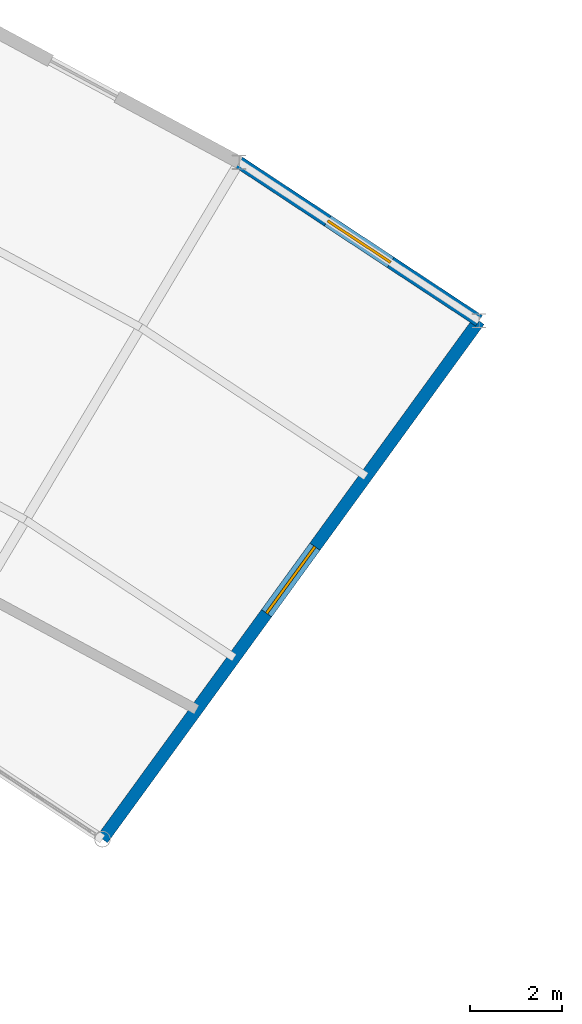
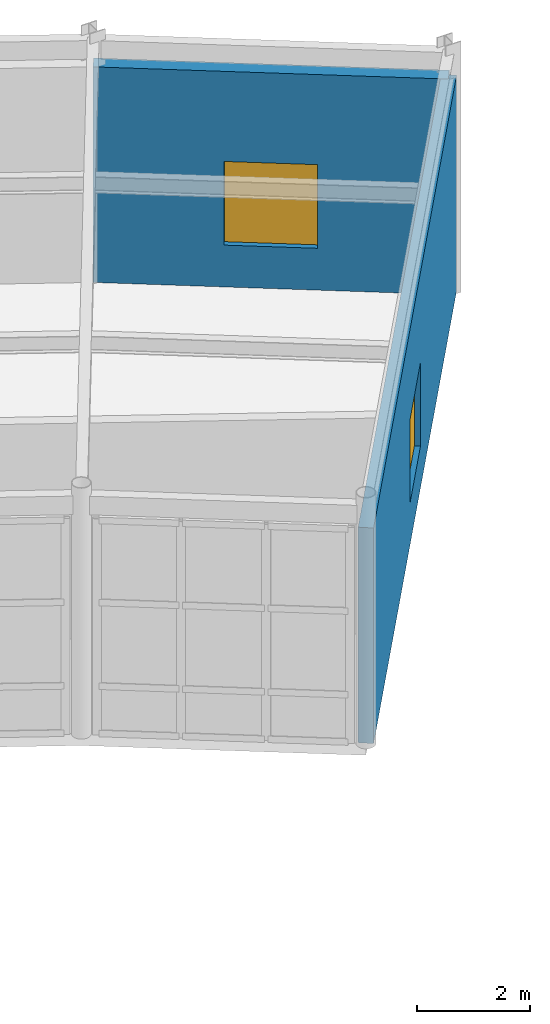
# One storey, part 70 of 87: 2 walls, 2 windows, 2 openings.
"""IFC4 building model written with IfcOpenShell, lengths in metres."""

import ifcopenshell
import ifcopenshell.guid

model = None  # the IFC model being written
_history = None  # IfcOwnerHistory: only IFC2X3 demands one
_inside = {}  # id of a spatial element -> (the spatial element, [elements in it])
_under = {}  # id of a project, library or spatial element -> (it, [spatial elements below it])
_declared = {}  # id of a project -> (the project, [libraries it declares])
_typed = {}  # id of a type object -> (the type object, [elements of that type])
_made_of = {}  # id of a material, layer set ... -> (it, [elements and type objects made of it])


def new_model(schema):
    """Start an empty IFC model of exactly this schema.

    Asked for "IFC4X3", IfcOpenShell would pick the latest addendum, in which some entities
    have other attributes; the version numbers below select the first issue.
    IFC2X3 requires an IfcOwnerHistory on every rooted entity: one is made here for all.
    """
    global model, _history
    if schema == "IFC4X3":
        model = ifcopenshell.file(schema_version=(4, 3, 0, 0))
    else:
        model = ifcopenshell.file(schema=schema)
    _inside.clear()
    _under.clear()
    _declared.clear()
    _typed.clear()
    _made_of.clear()
    _history = None
    if model.schema == "IFC2X3":
        org = make("IfcOrganization", Name="unknown")
        user = make(
            "IfcPersonAndOrganization",
            ThePerson=make("IfcPerson", FamilyName="unknown"),
            TheOrganization=org,
        )
        app = make(
            "IfcApplication",
            ApplicationDeveloper=org,
            Version="unknown",
            ApplicationFullName="unknown",
            ApplicationIdentifier="unknown",
        )
        _history = make(
            "IfcOwnerHistory",
            OwningUser=user,
            OwningApplication=app,
            ChangeAction="ADDED",
            CreationDate=0,
        )
    return model


def make(cls, **values):
    """One entity of the class cls with the attributes given. An attribute that is None is left unset."""
    return model.create_entity(
        cls, **{name: value for name, value in values.items() if value is not None}
    )


def rooted(cls, **values):
    """An entity with a GlobalId (a new one), such as an element, a storey or a relation."""
    return make(cls, GlobalId=ifcopenshell.guid.new(), OwnerHistory=_history, **values)


def si_unit(unit_type, name, prefix=None):
    """IfcSIUnit, for example si_unit("LENGTHUNIT", "METRE", prefix="MILLI")."""
    return make("IfcSIUnit", UnitType=unit_type, Prefix=prefix, Name=name)


def assignment(units):
    """IfcUnitAssignment: the units of a project."""
    return None if units is None else make("IfcUnitAssignment", Units=units)


def point(xyz):
    """IfcCartesianPoint."""
    return None if xyz is None else make("IfcCartesianPoint", Coordinates=xyz)


def direction(xyz):
    """IfcDirection."""
    return None if xyz is None else make("IfcDirection", DirectionRatios=xyz)


def frame(location, z_axis=None, x_axis=None):
    """IfcAxis2Placement3D, a coordinate frame: its origin and axes. An axis left out is left unset."""
    return make(
        "IfcAxis2Placement3D",
        Location=point(location),
        Axis=direction(z_axis),
        RefDirection=direction(x_axis),
    )


def frame_2d(location, x_axis=None):
    """IfcAxis2Placement2D, a coordinate frame in the plane: its origin and x axis."""
    return make(
        "IfcAxis2Placement2D", Location=point(location), RefDirection=direction(x_axis)
    )


def origin():
    """The frame at (0, 0, 0) with its axes left unset."""
    return frame((0.0, 0.0, 0.0))


def place(relative_to, where):
    """IfcLocalPlacement: puts the frame where relative to a parent placement (None: the world)."""
    return make(
        "IfcLocalPlacement", PlacementRelTo=relative_to, RelativePlacement=where
    )


def context(
    kind, dimensions, precision=None, world=None, true_north=None, identifier=None
):
    """IfcGeometricRepresentationContext, for example the 3D "Model" context."""
    return make(
        "IfcGeometricRepresentationContext",
        ContextIdentifier=identifier,
        ContextType=kind,
        CoordinateSpaceDimension=dimensions,
        Precision=precision,
        WorldCoordinateSystem=world,
        TrueNorth=true_north,
    )


def subcontext(parent, identifier, kind, view, scale=None):
    """IfcGeometricRepresentationSubContext, for example "Body" below "Model"."""
    return make(
        "IfcGeometricRepresentationSubContext",
        ContextIdentifier=identifier,
        ContextType=kind,
        ParentContext=parent,
        TargetScale=scale,
        TargetView=view,
    )


def project(units=None, contexts=None):
    """IfcProject with its units and contexts."""
    return rooted(
        "IfcProject",
        Name="project",
        RepresentationContexts=contexts,
        UnitsInContext=assignment(units),
    )


def spatial(cls, under=None, at=None, **own):
    """A site, building, storey or space (cls), placed at a placement, below another one or the project."""
    s = rooted(cls, ObjectPlacement=at, **own)
    if under is not None:
        _under.setdefault(under.id(), (under, []))[1].append(s)
    return s


def profile(cls, at=None, kind="AREA", **sizes):
    """A parametric profile (cls). Its sizes go by their IFC names, for example OverallWidth=200.0."""
    return make(cls, ProfileType=kind, Position=at, **sizes)


def rectangle(**sizes):
    """IfcRectangleProfileDef."""
    return profile("IfcRectangleProfileDef", **sizes)


def extrude(swept, where, along, depth):
    """IfcExtrudedAreaSolid: the profile swept, set in the frame where, extruded along a direction by depth."""
    return make(
        "IfcExtrudedAreaSolid",
        SweptArea=swept,
        Position=where,
        ExtrudedDirection=direction(along),
        Depth=depth,
    )


def shape(context_of_items, identifier, shape_type, items):
    """IfcShapeRepresentation: the items that make up one representation, for example the "Body"."""
    return make(
        "IfcShapeRepresentation",
        ContextOfItems=context_of_items,
        RepresentationIdentifier=identifier,
        RepresentationType=shape_type,
        Items=items,
    )


def material(Name=None, Category=None):
    """IfcMaterial."""
    return make("IfcMaterial", Name=Name, Category=Category)


def layer(
    of_material, thickness, ventilated=None, Name=None, Category=None, Priority=None
):
    """IfcMaterialLayer: one layer of a wall or slab, of a material (None: an air gap)."""
    return make(
        "IfcMaterialLayer",
        Material=of_material,
        LayerThickness=thickness,
        IsVentilated=ventilated,
        Name=Name,
        Category=Category,
        Priority=Priority,
    )


def layer_set(layers, Name=None):
    """IfcMaterialLayerSet."""
    return make("IfcMaterialLayerSet", MaterialLayers=layers, LayerSetName=Name)


def made_of(thing, what):
    """Note that an element or type object is made of a material, layer set ...; save() writes the relation."""
    if what is not None:
        _made_of.setdefault(what.id(), (what, []))[1].append(thing)
    return thing


def type_object(cls, material=None, **own):
    """A type object (cls), such as IfcWallType, which elements share."""
    return made_of(rooted(cls, **own), material)


def element(
    cls,
    number,
    at=None,
    inside=None,
    cuts=None,
    type_object=None,
    material=None,
    context=None,
    identifier="Body",
    shape_type=None,
    held_by="IfcProductDefinitionShape",
    body=None,
    shapes=None,
    **own,
):
    """One element of the class cls, such as IfcWall. Its Tag is "e" and its number.

    at: its placement. inside: the storey or other place that contains it. cuts: it is an
    opening in that element (IfcRelVoidsElement). A single representation is given by context,
    identifier, shape_type and body (its items); several are given by shapes. held_by: the class
    of the entity that holds the representations. save() writes the other relations.
    """
    e = rooted(cls, Tag="e%d" % number, ObjectPlacement=at, **own)
    if body is not None:
        shapes = [shape(context, identifier, shape_type, body)]
    if shapes is not None:
        e.Representation = make(held_by, Representations=shapes)
    if inside is not None:
        _inside.setdefault(inside.id(), (inside, []))[1].append(e)
    if cuts is not None:
        rooted(
            "IfcRelVoidsElement", RelatingBuildingElement=cuts, RelatedOpeningElement=e
        )
    if type_object is not None:
        _typed.setdefault(type_object.id(), (type_object, []))[1].append(e)
    return made_of(e, material)


def fill(opening, filler):
    """IfcRelFillsElement: the door or window that sits in an opening."""
    return rooted(
        "IfcRelFillsElement",
        RelatingOpeningElement=opening,
        RelatedBuildingElement=filler,
    )


def aggregate(whole, parts):
    """IfcRelAggregates: a whole, such as a stair, and the parts it consists of."""
    return rooted("IfcRelAggregates", RelatingObject=whole, RelatedObjects=parts)


def save(model, path):
    """Write the relations noted so far, then the file.

    IfcRelAggregates (storeys below a building ...), IfcRelContainedInSpatialStructure (elements
    in a storey), IfcRelDefinesByType, IfcRelAssociatesMaterial and IfcRelDeclares: one each for
    every whole, place, type object, material and project.
    """
    for whole, parts in _under.values():
        aggregate(whole, parts)
    for where, things in _inside.values():
        rooted(
            "IfcRelContainedInSpatialStructure",
            RelatedElements=things,
            RelatingStructure=where,
        )
    for kind, things in _typed.values():
        rooted("IfcRelDefinesByType", RelatedObjects=things, RelatingType=kind)
    for what, things in _made_of.values():
        rooted("IfcRelAssociatesMaterial", RelatedObjects=things, RelatingMaterial=what)
    for by, libraries in _declared.values():
        rooted("IfcRelDeclares", RelatingContext=by, RelatedDefinitions=libraries)
    model.write(path)


model = new_model("IFC4")

# Units and contexts
model_context = context("Model", 3, precision=1e-05, world=origin(), true_north=direction((0.0, 1.0)))
body_context = subcontext(model_context, "Body", "Model", "MODEL_VIEW")
ifc_project = project(units=[si_unit("LENGTHUNIT", "METRE"), si_unit("AREAUNIT", "SQUARE_METRE"), si_unit("VOLUMEUNIT", "CUBIC_METRE"), si_unit("PLANEANGLEUNIT", "RADIAN"), si_unit("MASSUNIT", "GRAM", prefix="KILO")], contexts=[model_context])

# Site, building, storey
site_placement = place(None, origin())
site = spatial("IfcSite", under=ifc_project, at=site_placement, CompositionType="ELEMENT")
building_placement = place(site_placement, origin())
building = spatial("IfcBuilding", under=site, at=building_placement, Name="Selat Folded Stagehouse", CompositionType="ELEMENT")
storey_placement = place(building_placement, origin())
storey = spatial("IfcBuildingStorey", under=building, at=storey_placement, Name="L00", CompositionType="ELEMENT", Elevation=0.0)

# Wall, opening, window
ifc_material_1 = material(Name="Precast concrete C40/50", Category="concrete")
ifc_layer = layer(ifc_material_1, 0.27490234375)
ifc_layer_set = layer_set([ifc_layer], Name="Precast concrete C40/50")
wall_type = type_object("IfcWallType", Name="WAL-EXT-275", PredefinedType="STANDARD", material=ifc_layer_set)
wall_1_placement = place(storey_placement, frame((128.302978515625, 98.09130859375, 0.0), z_axis=(0.0, 0.0, 1.0), x_axis=(0.834571163011, -0.550900148729, 0.0)))
wall_1 = element("IfcWall", 1, at=wall_1_placement, inside=storey, type_object=wall_type, Name="L00 exterior facade wall EW-L00-V6OUT-13", PredefinedType="STANDARD", context=body_context, shape_type="SweptSolid", body=[
    extrude(rectangle(XDim=6.281005859375, YDim=0.27490234375, at=frame_2d((3.140625, 0.0))), origin(), (0.0, 0.0, 1.0), 4.638916015625),
])
opening_1_placement = place(wall_1_placement, frame((2.315673828125, 0.0, 0.89990234375)))
opening_1 = element("IfcOpeningElement", 2, at=opening_1_placement, cuts=wall_1, Name="Opening WN-06", PredefinedType="OPENING", context=body_context, shape_type="SweptSolid", body=[
    extrude(rectangle(XDim=1.64990234375, YDim=1.800048828125, at=frame_2d((0.824951171875, 0.89990234375))), frame((0.0, 0.1474609375, 0.0), z_axis=(0.0, -1.0, 0.0), x_axis=(1.0, 0.0, 0.0)), (0.0, 0.0, 1.0), 0.294921875),
])
ifc_material_2 = material(Name="Thermally broken aluminium and acoustic low-E glass", Category="aluminium")
window_type_1 = type_object("IfcWindowType", Name="WIN-WK-1650x1800", PartitioningType="SINGLE_PANEL", PredefinedType="WINDOW", material=ifc_material_2)
window_1_placement = place(opening_1_placement, origin())
window_1 = element("IfcWindow", 3, at=window_1_placement, inside=storey, type_object=window_type_1, Name="L00 exterior window EW-L00-V6OUT-13-1", OverallHeight=1.800048828125, OverallWidth=1.64990234375, PartitioningType="SINGLE_PANEL", PredefinedType="WINDOW", context=body_context, shape_type="SweptSolid", body=[
    extrude(rectangle(XDim=1.64990234375, YDim=1.800048828125, at=frame_2d((0.824951171875, 0.89990234375))), frame((0.0, 0.030029296875, 0.0), z_axis=(0.0, -1.0, 0.0), x_axis=(1.0, 0.0, 0.0)), (0.0, 0.0, 1.0), 0.06005859375),
])
fill(opening_1, window_1)

wall_2_placement = place(storey_placement, frame((133.544921875, 94.631103515625, 0.0), z_axis=(0.0, 0.0, 1.0), x_axis=(-0.587787980643, -0.809015012105, 0.0)))
wall_2 = element("IfcWall", 4, at=wall_2_placement, inside=storey, type_object=wall_type, Name="L00 exterior facade wall EW-L00-V6E", PredefinedType="STANDARD", context=body_context, shape_type="SweptSolid", body=[
    extrude(rectangle(XDim=14.0, YDim=0.27490234375, at=frame_2d((7.0, 0.0))), origin(), (0.0, 0.0, 1.0), 4.638916015625),
])
opening_2_placement = place(wall_2_placement, frame((6.10009765625, 0.0, 0.89990234375)))
opening_2 = element("IfcOpeningElement", 5, at=opening_2_placement, cuts=wall_2, Name="Opening WN-05", PredefinedType="OPENING", context=body_context, shape_type="SweptSolid", body=[
    extrude(rectangle(XDim=1.800048828125, YDim=1.800048828125, at=frame_2d((0.89990234375, 0.89990234375))), frame((0.0, 0.1474609375, 0.0), z_axis=(0.0, -1.0, 0.0), x_axis=(1.0, 0.0, 0.0)), (0.0, 0.0, 1.0), 0.294921875),
])
window_type_2 = type_object("IfcWindowType", Name="WIN-WK-1800x1800", PartitioningType="SINGLE_PANEL", PredefinedType="WINDOW", material=ifc_material_2)
window_2_placement = place(opening_2_placement, origin())
window_2 = element("IfcWindow", 6, at=window_2_placement, inside=storey, type_object=window_type_2, Name="L00 exterior window EW-L00-V6E-1", OverallHeight=1.800048828125, OverallWidth=1.800048828125, PartitioningType="SINGLE_PANEL", PredefinedType="WINDOW", context=body_context, shape_type="SweptSolid", body=[
    extrude(rectangle(XDim=1.800048828125, YDim=1.800048828125, at=frame_2d((0.89990234375, 0.89990234375))), frame((0.0, 0.030029296875, 0.0), z_axis=(0.0, -1.0, 0.0), x_axis=(1.0, 0.0, 0.0)), (0.0, 0.0, 1.0), 0.06005859375),
])
fill(opening_2, window_2)

save(model, "model.ifc")
